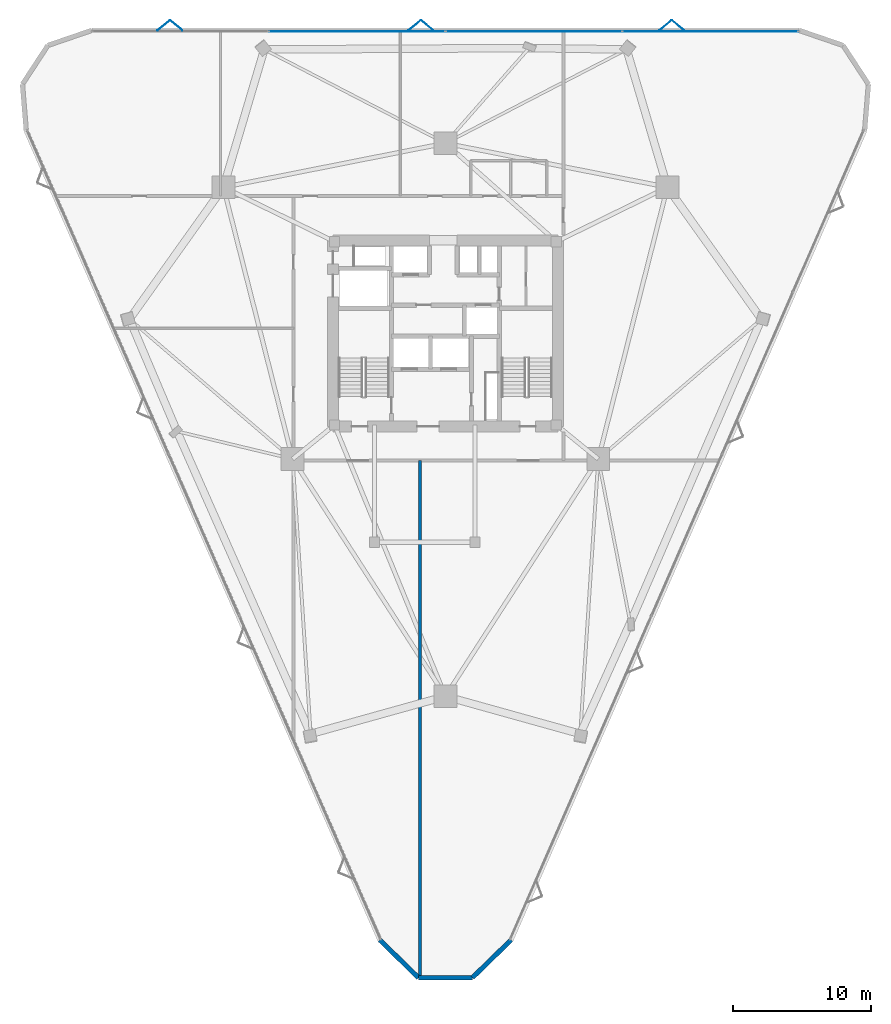
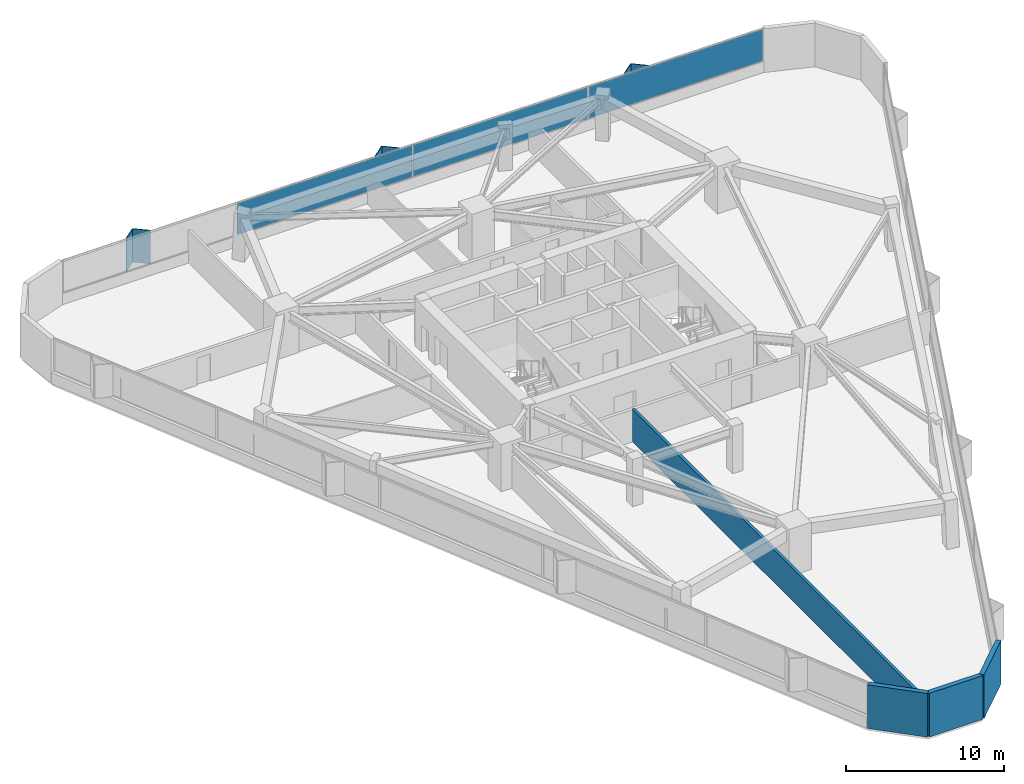
# One storey, part 12 of 16: 9 plates, 4 walls, 1 element without a shape of its own.
"""IFC4 building model written with IfcOpenShell, lengths in metres."""

from ifc_helpers import new_model, si_unit, direction, frame, frame_2d, origin, origin_2d, place, context, subcontext, project, spatial, rectangle, extrude, material, layer, layer_set, type_object, element, aggregate, save


model = new_model("IFC4")

# Units and contexts
model_context = context("Model", 3, precision=1e-05, world=origin(), true_north=direction((0.0, 1.0)))
body_context = subcontext(model_context, "Body", "Model", "MODEL_VIEW")
ifc_project = project(units=[si_unit("LENGTHUNIT", "METRE"), si_unit("AREAUNIT", "SQUARE_METRE"), si_unit("VOLUMEUNIT", "CUBIC_METRE"), si_unit("PLANEANGLEUNIT", "RADIAN"), si_unit("MASSUNIT", "GRAM", prefix="KILO")], contexts=[model_context])

# Site, building, storey
site_placement = place(None, origin())
site = spatial("IfcSite", under=ifc_project, at=site_placement, CompositionType="ELEMENT")
building_placement = place(site_placement, origin())
building = spatial("IfcBuilding", under=site, at=building_placement, Name="Talyreon Biosciences Tower", CompositionType="ELEMENT")
storey_placement = place(building_placement, frame((0.0, 0.0, 107.85009765625)))
storey = spatial("IfcBuildingStorey", under=building, at=storey_placement, Name="L28", CompositionType="ELEMENT", Elevation=107.85009765625)

# Curtain wall, plates
ifc_material_1 = material(Name="Thermally broken aluminium and low-E glazing", Category="aluminium")
ifc_layer_1 = layer(ifc_material_1, 0.18994140625)
ifc_layer_set_1 = layer_set([ifc_layer_1], Name="Thermally broken aluminium and low-E glazing")
curtain_wall_type = type_object("IfcCurtainWallType", Name="CurtainWall_Zone2Genomics", PredefinedType="NOTDEFINED", material=ifc_layer_set_1)
curtain_wall_placement = place(storey_placement, origin())
curtain_wall = element("IfcCurtainWall", 1, at=curtain_wall_placement, inside=storey, type_object=curtain_wall_type, Name="L28 Unitised Curtain Wall FCW-L28-04", PredefinedType="NOTDEFINED")
ifc_material_2 = material(Name="Triple-silver low-E insulated glazing", Category="glass")
ifc_layer_2 = layer(ifc_material_2, 0.031982421875)
ifc_layer_set_2 = layer_set([ifc_layer_2], Name="Triple-silver low-E insulated glazing")
plate_type_1 = type_object("IfcPlateType", Name="CWGlazingPanel_32", PredefinedType="CURTAIN_PANEL", material=ifc_layer_set_2)
plate_1_placement = place(storey_placement, frame((59.58642578125, 89.906494140625, 0.874755859375), z_axis=(0.0, 0.0, 1.0), x_axis=(1.0, 0.0, 0.0)))
plate_1 = element("IfcPlate", 2, at=plate_1_placement, type_object=plate_type_1, Name="CW3 panel 2.1", PredefinedType="CURTAIN_PANEL", context=body_context, shape_type="SweptSolid", body=[
    extrude(rectangle(XDim=12.761962890625, YDim=0.031982421875, at=origin_2d()), origin(), (0.0, 0.0, 1.0), 2.43505859375),
])
plate_2_placement = place(storey_placement, frame((72.41357421875, 89.906494140625, 0.874755859375), z_axis=(0.0, 0.0, 1.0), x_axis=(1.0, 0.0, 0.0)))
plate_2 = element("IfcPlate", 3, at=plate_2_placement, type_object=plate_type_1, Name="CW3 panel 3.1", PredefinedType="CURTAIN_PANEL", context=body_context, shape_type="SweptSolid", body=[
    extrude(rectangle(XDim=12.761962890625, YDim=0.031982421875, at=origin_2d()), origin(), (0.0, 0.0, 1.0), 2.43505859375),
])
plate_3_placement = place(storey_placement, frame((85.22412109375, 89.906494140625, 0.874755859375), z_axis=(0.0, 0.0, 1.0), x_axis=(1.0, 0.0, 0.0)))
plate_3 = element("IfcPlate", 4, at=plate_3_placement, type_object=plate_type_1, Name="CW3 panel 4.1", PredefinedType="CURTAIN_PANEL", context=body_context, shape_type="SweptSolid", body=[
    extrude(rectangle(XDim=12.7294921875, YDim=0.031982421875, at=origin_2d()), origin(), (0.0, 0.0, 1.0), 2.43505859375),
])
aggregate(curtain_wall, [plate_1, plate_2, plate_3])

# Plates
ifc_material_3 = material(Name="Ivory GFRC sunshade panel", Category="concrete")
ifc_layer_3 = layer(ifc_material_3, 0.044921875)
ifc_layer_set_3 = layer_set([ifc_layer_3], Name="Ivory GFRC sunshade panel")
plate_type_2 = type_object("IfcPlateType", Name="FoldedVSunshade_NorthFace_SUNSHADE", PredefinedType="USERDEFINED", material=ifc_layer_set_3)
for number, where, z_axis, x_axis, name in (
    (5, (45.566162109375, 90.3466796875, 0.7900390625), (0.0, 0.0, 1.0), (0.771624583388, 0.636078220278, 0.0), "L28 Folded V-Sunshade Panel 04.01L"),
    (6, (46.466064453125, 90.3466796875, 0.7900390625), (0.0, 0.0, 1.0), (0.771624583388, -0.636078220278, 0.0), "L28 Folded V-Sunshade Panel 04.01R"),
    (7, (63.76611328125, 90.3466796875, 0.7900390625), (0.0, 0.0, 1.0), (0.771624583388, 0.636078220278, 0.0), "L28 Folded V-Sunshade Panel 04.02L"),
    (8, (64.666015625, 90.3466796875, 0.7900390625), (0.0, 0.0, 1.0), (0.771624583388, -0.636078220278, 0.0), "L28 Folded V-Sunshade Panel 04.02R"),
    (9, (81.966064453125, 90.3466796875, 0.7900390625), (0.0, 0.0, 1.0), (0.771624583388, 0.636078220278, 0.0), "L28 Folded V-Sunshade Panel 04.03L"),
    (10, (82.8662109375, 90.3466796875, 0.7900390625), (0.0, 0.0, 1.0), (0.771624583388, -0.636078220278, 0.0), "L28 Folded V-Sunshade Panel 04.03R"),
):
    element("IfcPlate", number, at=place(storey_placement, frame(where, z_axis=z_axis, x_axis=x_axis)), inside=storey, type_object=plate_type_2, Name=name, ObjectType="SUNSHADE", PredefinedType="USERDEFINED", context=body_context, shape_type="SweptSolid", body=[
        extrude(rectangle(XDim=1.14990234375, YDim=0.044921875, at=origin_2d()), origin(), (0.0, 0.0, 1.0), 2.5849609375),
    ])

# Walls
ifc_material_4 = material(Name="Gypsum fireboard acoustic stud", Category="gypsum")
ifc_layer_4 = layer(ifc_material_4, 0.199951171875)
ifc_layer_set_4 = layer_set([ifc_layer_4], Name="Gypsum fireboard acoustic stud")
wall_type_1 = type_object("IfcWallType", Name="ChemControlPartition_200", PredefinedType="PARTITIONING", material=ifc_layer_set_4)
wall_1_placement = place(storey_placement, frame((64.156005859375, 21.34228515625, 0.0), z_axis=(0.0, 0.0, 1.0), x_axis=(0.0, 1.0, 0.0)))
element("IfcWall", 11, at=wall_1_placement, inside=storey, type_object=wall_type_1, Name="L28 Interior Wall IW-L28-SDIV1", PredefinedType="PARTITIONING", context=body_context, shape_type="SweptSolid", body=[
    extrude(rectangle(XDim=37.427734375, YDim=0.199951171875, at=frame_2d((18.7138671875, 0.0))), origin(), (0.0, 0.0, 1.0), 2.5048828125),
])
ifc_material_5 = material(Name="Precast concrete C45/55", Category="concrete")
ifc_layer_5 = layer(ifc_material_5, 0.340087890625)
ifc_layer_set_5 = layer_set([ifc_layer_5], Name="Precast concrete C45/55")
wall_type_2 = type_object("IfcWallType", Name="PrecastConcreteSpandrelWall_340", PredefinedType="STANDARD", material=ifc_layer_set_5)
wall_2_placement = place(storey_placement, frame((70.764892578125, 23.991943359375, 0.0), z_axis=(0.0, 0.0, 1.0), x_axis=(-0.71611458566, -0.697982736323, 0.0)))
element("IfcWall", 12, at=wall_2_placement, inside=storey, type_object=wall_type_2, Name="L28 Rounded-Corner Concrete Pier 09", PredefinedType="STANDARD", context=body_context, shape_type="SweptSolid", body=[
    extrude(rectangle(XDim=3.918212890625, YDim=0.340087890625, at=frame_2d((1.958984375, 0.0))), origin(), (0.0, 0.0, 1.0), 3.375),
])
wall_3_placement = place(storey_placement, frame((67.958984375, 21.257080078125, 0.0), z_axis=(0.0, 0.0, 1.0), x_axis=(-1.0, 0.0, 0.0)))
element("IfcWall", 13, at=wall_3_placement, inside=storey, type_object=wall_type_2, Name="L28 Rounded-Corner Concrete Pier 10", PredefinedType="STANDARD", context=body_context, shape_type="SweptSolid", body=[
    extrude(rectangle(XDim=3.91796875, YDim=0.340087890625, at=frame_2d((1.958984375, 0.0))), origin(), (0.0, 0.0, 1.0), 3.375),
])
wall_4_placement = place(storey_placement, frame((64.041015625, 21.257080078125, 0.0), z_axis=(0.0, 0.0, 1.0), x_axis=(-0.71611458566, 0.697982736323, 0.0)))
element("IfcWall", 14, at=wall_4_placement, inside=storey, type_object=wall_type_2, Name="L28 Rounded-Corner Concrete Pier 11", PredefinedType="STANDARD", context=body_context, shape_type="SweptSolid", body=[
    extrude(rectangle(XDim=3.918212890625, YDim=0.340087890625, at=frame_2d((1.958984375, 0.0))), origin(), (0.0, 0.0, 1.0), 3.375),
])

save(model, "model.ifc")
